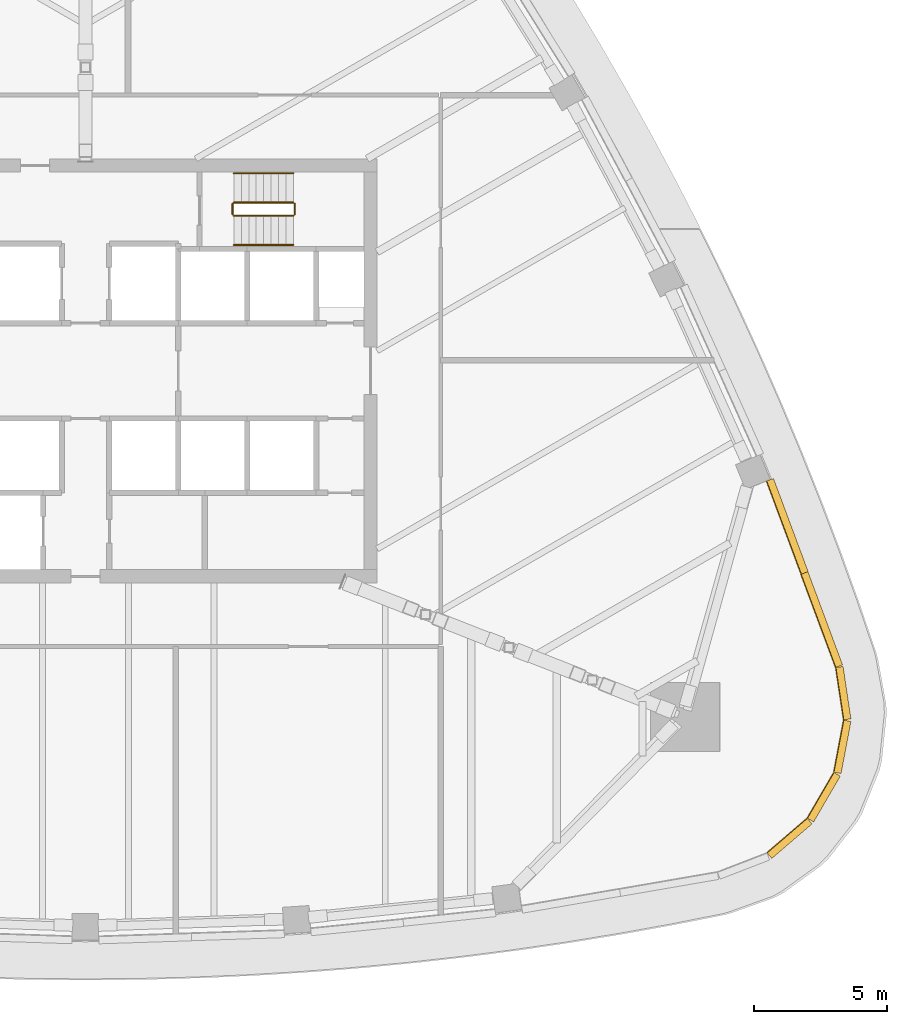
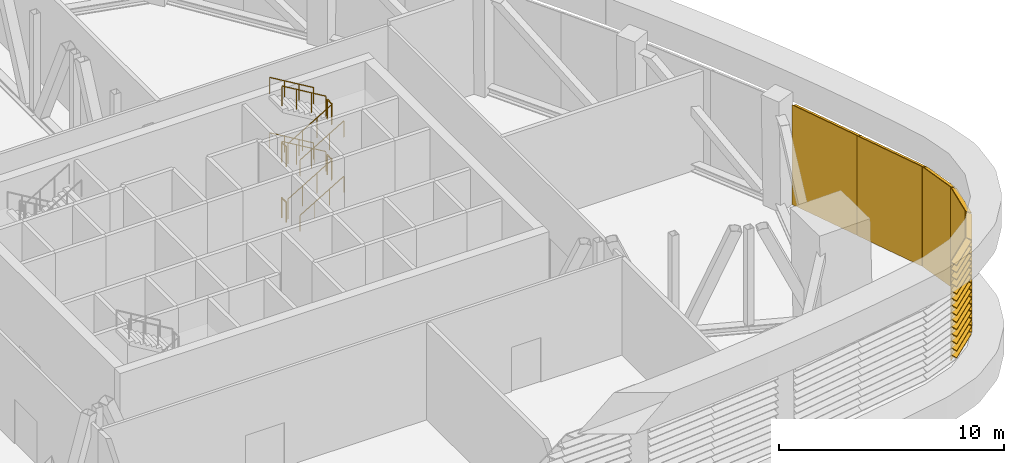
# One storey, part 15 of 18: 12 railings, 6 shading devices.
"""IFC4 building model written with IfcOpenShell, lengths in metres."""

from ifc_helpers import new_model, si_unit, direction, frame, origin, origin_2d, place, context, subcontext, project, spatial, polyline, circle, outline, extrude, material, type_object, element, save


model = new_model("IFC4")

# Units and contexts
model_context = context("Model", 3, precision=1e-05, world=origin(), true_north=direction((0.0, 1.0)))
body_context = subcontext(model_context, "Body", "Model", "MODEL_VIEW")
ifc_project = project(units=[si_unit("LENGTHUNIT", "METRE"), si_unit("AREAUNIT", "SQUARE_METRE"), si_unit("VOLUMEUNIT", "CUBIC_METRE"), si_unit("PLANEANGLEUNIT", "RADIAN"), si_unit("MASSUNIT", "GRAM", prefix="KILO")], contexts=[model_context])

# Site, building, storey
site_placement = place(None, origin())
site = spatial("IfcSite", under=ifc_project, at=site_placement, CompositionType="ELEMENT")
building_placement = place(site_placement, origin())
building = spatial("IfcBuilding", under=site, at=building_placement, Name="Sierra Prisma Convention Tower", CompositionType="ELEMENT")
storey_placement = place(building_placement, frame((0.0, 0.0, 213.800048828125)))
storey = spatial("IfcBuildingStorey", under=building, at=storey_placement, Name="L48", CompositionType="ELEMENT", Elevation=213.800048828125)

# Railings
ifc_material_1 = material(Name="Stainless steel", Category="steel")
railing_type_1 = type_object("IfcRailingType", Name="Exit stair handrail", PredefinedType="HANDRAIL", material=ifc_material_1)
railing_1_placement = place(storey_placement, frame((5.60009765625, 4.75, 0.16650390625)))
element("IfcRailing", 1, at=railing_1_placement, inside=storey, type_object=railing_type_1, Name="L48 S4 stair handrail 1", PredefinedType="HANDRAIL", context=body_context, shape_type="SweptSolid", body=[
    extrude(circle(Radius=0.02392578125, at=origin_2d()), frame((0.0, 0.0, 0.8759765625), z_axis=(0.859264461869, 0.0, 0.511531606619), x_axis=(0.0, 1.0, 0.0)), (0.0, 0.0, 1.0), 2.60693359375),
    extrude(circle(Radius=0.02099609375, at=origin_2d()), origin(), (0.0, 0.0, 1.0), 0.851806640625),
    extrude(circle(Radius=0.02099609375, at=origin_2d()), frame((0.74658203125, 0.0, 0.444580078125)), (0.0, 0.0, 1.0), 0.851806640625),
    extrude(circle(Radius=0.02099609375, at=origin_2d()), frame((1.493408203125, 0.0, 0.888916015625)), (0.0, 0.0, 1.0), 0.851806640625),
    extrude(circle(Radius=0.02099609375, at=origin_2d()), frame((2.239990234375, 0.0, 1.33349609375)), (0.0, 0.0, 1.0), 0.851806640625),
])
railing_2_placement = place(storey_placement, frame((7.840087890625, 7.449951171875, 1.66650390625)))
element("IfcRailing", 2, at=railing_2_placement, inside=storey, type_object=railing_type_1, Name="L48 S4 stair handrail 2", PredefinedType="HANDRAIL", context=body_context, shape_type="SweptSolid", body=[
    extrude(circle(Radius=0.02392578125, at=origin_2d()), frame((0.0, 0.0, 0.8759765625), z_axis=(-0.859264461869, 0.0, 0.511531606619), x_axis=(0.0, -1.0, 0.0)), (0.0, 0.0, 1.0), 2.60693359375),
    extrude(circle(Radius=0.02099609375, at=origin_2d()), origin(), (0.0, 0.0, 1.0), 0.851806640625),
    extrude(circle(Radius=0.02099609375, at=origin_2d()), frame((-0.74658203125, 0.0, 0.444580078125)), (0.0, 0.0, 1.0), 0.851806640625),
    extrude(circle(Radius=0.02099609375, at=origin_2d()), frame((-1.493408203125, 0.0, 0.888916015625)), (0.0, 0.0, 1.0), 0.851806640625),
    extrude(circle(Radius=0.02099609375, at=origin_2d()), frame((-2.239990234375, 0.0, 1.33349609375)), (0.0, 0.0, 1.0), 0.851806640625),
])
railing_3_placement = place(storey_placement, frame((5.60009765625, 4.75, 3.16650390625)))
element("IfcRailing", 3, at=railing_3_placement, inside=storey, type_object=railing_type_1, Name="L48 S4 stair handrail 3", PredefinedType="HANDRAIL", context=body_context, shape_type="SweptSolid", body=[
    extrude(circle(Radius=0.02392578125, at=origin_2d()), frame((0.0, 0.0, 0.8759765625), z_axis=(0.859264461869, 0.0, 0.511531606619), x_axis=(0.0, 1.0, 0.0)), (0.0, 0.0, 1.0), 2.60693359375),
    extrude(circle(Radius=0.02099609375, at=origin_2d()), origin(), (0.0, 0.0, 1.0), 0.851806640625),
    extrude(circle(Radius=0.02099609375, at=origin_2d()), frame((0.74658203125, 0.0, 0.444580078125)), (0.0, 0.0, 1.0), 0.851806640625),
    extrude(circle(Radius=0.02099609375, at=origin_2d()), frame((1.493408203125, 0.0, 0.888916015625)), (0.0, 0.0, 1.0), 0.851806640625),
    extrude(circle(Radius=0.02099609375, at=origin_2d()), frame((2.239990234375, 0.0, 1.33349609375)), (0.0, 0.0, 1.0), 0.851806640625),
])
railing_4_placement = place(storey_placement, frame((7.840087890625, 7.449951171875, 4.66650390625)))
element("IfcRailing", 4, at=railing_4_placement, inside=storey, type_object=railing_type_1, Name="L48 S4 stair handrail 4", PredefinedType="HANDRAIL", context=body_context, shape_type="SweptSolid", body=[
    extrude(circle(Radius=0.02392578125, at=origin_2d()), frame((0.0, 0.0, 0.8759765625), z_axis=(-0.859264461869, 0.0, 0.511531606619), x_axis=(0.0, -1.0, 0.0)), (0.0, 0.0, 1.0), 2.60693359375),
    extrude(circle(Radius=0.02099609375, at=origin_2d()), origin(), (0.0, 0.0, 1.0), 0.851806640625),
    extrude(circle(Radius=0.02099609375, at=origin_2d()), frame((-0.74658203125, 0.0, 0.444580078125)), (0.0, 0.0, 1.0), 0.851806640625),
    extrude(circle(Radius=0.02099609375, at=origin_2d()), frame((-1.493408203125, 0.0, 0.888916015625)), (0.0, 0.0, 1.0), 0.851806640625),
    extrude(circle(Radius=0.02099609375, at=origin_2d()), frame((-2.239990234375, 0.0, 1.33349609375)), (0.0, 0.0, 1.0), 0.851806640625),
])

# Shading devices
ifc_material_2 = material(Name="Aluminium 6063-T6 bronze anodised", Category="aluminium")
shading_device_type = type_object("IfcShadingDeviceType", Name="Louvre bay bronze", PredefinedType="USERDEFINED", material=ifc_material_2)
shading_device_1_placement = place(storey_placement, frame((25.693115234375, -18.16357421875, 0.0), z_axis=(-0.758237313082, -0.651978663033, 0.0), x_axis=(0.0, 0.0, 1.0)))
element("IfcShadingDevice", 5, at=shading_device_1_placement, inside=storey, type_object=shading_device_type, Name="Louvre L48 SE2.1", ObjectType="LOUVRE", PredefinedType="USERDEFINED", context=body_context, shape_type="SweptSolid", body=[
    extrude(outline(polyline([(0.0, 0.0), (5.39990234375, 0.0), (5.39990234375, -0.029949795693178537), (5.3798828125, -0.029949795693178537), (5.260009765625, -0.30002736447309325), (5.22998046875, -0.30002736447309325), (5.349853515625, -0.029949795693178537), (5.01416015625, -0.029949795693178537), (4.994140625, -0.029949795693178537), (4.874267578125, -0.30002736447309325), (4.84423828125, -0.30002736447309325), (4.96435546875, -0.029949795693178537), (4.62841796875, -0.029949795693178537), (4.608642578125, -0.029949795693178537), (4.488525390625, -0.30002736447309325), (4.45849609375, -0.30002736447309325), (4.57861328125, -0.029949795693178537), (4.242919921875, -0.029949795693178537), (4.222900390625, -0.029949795693178537), (4.102783203125, -0.30002736447309325), (4.07275390625, -0.30002736447309325), (4.19287109375, -0.029949795693178537), (3.857177734375, -0.029949795693178537), (3.837158203125, -0.029949795693178537), (3.717041015625, -0.30002736447309325), (3.68701171875, -0.30002736447309325), (3.80712890625, -0.029949795693178537), (3.471435546875, -0.029949795693178537), (3.451416015625, -0.029949795693178537), (3.331298828125, -0.30002736447309325), (3.30126953125, -0.30002736447309325), (3.42138671875, -0.029949795693178537), (3.085693359375, -0.029949795693178537), (3.065673828125, -0.029949795693178537), (2.945556640625, -0.30002736447309325), (2.915771484375, -0.30002736447309325), (3.03564453125, -0.029949795693178537), (2.699951171875, -0.029949795693178537), (2.679931640625, -0.029949795693178537), (2.56005859375, -0.30002736447309325), (2.530029296875, -0.30002736447309325), (2.64990234375, -0.029949795693178537), (2.314208984375, -0.029949795693178537), (2.294189453125, -0.029949795693178537), (2.17431640625, -0.30002736447309325), (2.144287109375, -0.30002736447309325), (2.26416015625, -0.029949795693178537), (1.928466796875, -0.029949795693178537), (1.908447265625, -0.029949795693178537), (1.78857421875, -0.30002736447309325), (1.758544921875, -0.30002736447309325), (1.87841796875, -0.029949795693178537), (1.542724609375, -0.029949795693178537), (1.522705078125, -0.029949795693178537), (1.40283203125, -0.30002736447309325), (1.372802734375, -0.30002736447309325), (1.492919921875, -0.029949795693178537), (1.156982421875, -0.029949795693178537), (1.13720703125, -0.029949795693178537), (1.01708984375, -0.30002736447309325), (0.987060546875, -0.30002736447309325), (1.107177734375, -0.029949795693178537), (0.771484375, -0.029949795693178537), (0.75146484375, -0.029949795693178537), (0.63134765625, -0.30002736447309325), (0.601318359375, -0.30002736447309325), (0.721435546875, -0.029949795693178537), (0.3857421875, -0.029949795693178537), (0.36572265625, -0.029949795693178537), (0.24560546875, -0.30002736447309325), (0.215576171875, -0.30002736447309325), (0.335693359375, -0.029949795693178537), (0.0, -0.029949795693178537), (0.0, 0.0)])), origin(), (0.0, 0.0, -1.0), 1.997314453125),
])
shading_device_2_placement = place(storey_placement, frame((27.2080078125, -16.861572265625, 0.0), z_axis=(-0.502845007953, -0.864376594996, 0.0), x_axis=(0.0, 0.0, 1.0)))
element("IfcShadingDevice", 6, at=shading_device_2_placement, inside=storey, type_object=shading_device_type, Name="Louvre L48 SE3.1", ObjectType="LOUVRE", PredefinedType="USERDEFINED", context=body_context, shape_type="SweptSolid", body=[
    extrude(outline(polyline([(0.0, 0.0), (5.39990234375, 0.0), (5.39990234375, -0.02998054432681979), (5.3798828125, -0.02998054432681979), (5.260009765625, -0.30003573656415006), (5.22998046875, -0.30003573656415006), (5.349853515625, -0.02998054432681979), (5.01416015625, -0.02998054432681979), (4.994140625, -0.02998054432681979), (4.874267578125, -0.30003573656415006), (4.84423828125, -0.30003573656415006), (4.96435546875, -0.02998054432681979), (4.62841796875, -0.02998054432681979), (4.608642578125, -0.02998054432681979), (4.488525390625, -0.30003573656415006), (4.45849609375, -0.30003573656415006), (4.57861328125, -0.02998054432681979), (4.242919921875, -0.02998054432681979), (4.222900390625, -0.02998054432681979), (4.102783203125, -0.30003573656415006), (4.07275390625, -0.30003573656415006), (4.19287109375, -0.02998054432681979), (3.857177734375, -0.02998054432681979), (3.837158203125, -0.02998054432681979), (3.717041015625, -0.30003573656415006), (3.68701171875, -0.30003573656415006), (3.80712890625, -0.02998054432681979), (3.471435546875, -0.02998054432681979), (3.451416015625, -0.02998054432681979), (3.331298828125, -0.30003573656415006), (3.30126953125, -0.30003573656415006), (3.42138671875, -0.02998054432681979), (3.085693359375, -0.02998054432681979), (3.065673828125, -0.02998054432681979), (2.945556640625, -0.30003573656415006), (2.915771484375, -0.30003573656415006), (3.03564453125, -0.02998054432681979), (2.699951171875, -0.02998054432681979), (2.679931640625, -0.02998054432681979), (2.56005859375, -0.30003573656415006), (2.530029296875, -0.30003573656415006), (2.64990234375, -0.02998054432681979), (2.314208984375, -0.02998054432681979), (2.294189453125, -0.02998054432681979), (2.17431640625, -0.30003573656415006), (2.144287109375, -0.30003573656415006), (2.26416015625, -0.02998054432681979), (1.928466796875, -0.02998054432681979), (1.908447265625, -0.02998054432681979), (1.78857421875, -0.30003573656415006), (1.758544921875, -0.30003573656415006), (1.87841796875, -0.02998054432681979), (1.542724609375, -0.02998054432681979), (1.522705078125, -0.02998054432681979), (1.40283203125, -0.30003573656415006), (1.372802734375, -0.30003573656415006), (1.492919921875, -0.02998054432681979), (1.156982421875, -0.02998054432681979), (1.13720703125, -0.02998054432681979), (1.01708984375, -0.30003573656415006), (0.987060546875, -0.30003573656415006), (1.107177734375, -0.02998054432681979), (0.771484375, -0.02998054432681979), (0.75146484375, -0.02998054432681979), (0.63134765625, -0.30003573656415006), (0.601318359375, -0.30003573656415006), (0.721435546875, -0.02998054432681979), (0.3857421875, -0.02998054432681979), (0.36572265625, -0.02998054432681979), (0.24560546875, -0.30003573656415006), (0.215576171875, -0.30003573656415006), (0.335693359375, -0.02998054432681979), (0.0, -0.02998054432681979), (0.0, 0.0)])), origin(), (0.0, 0.0, -1.0), 1.997314453125),
])
shading_device_3_placement = place(storey_placement, frame((28.20654296875, -15.1318359375, 0.0), z_axis=(-0.186157703936, -0.982519877288, 0.0), x_axis=(0.0, 0.0, 1.0)))
element("IfcShadingDevice", 7, at=shading_device_3_placement, inside=storey, type_object=shading_device_type, Name="Louvre L48 SE4.1", ObjectType="LOUVRE", PredefinedType="USERDEFINED", context=body_context, shape_type="SweptSolid", body=[
    extrude(outline(polyline([(0.0, 0.0), (5.39990234375, 0.0), (5.39990234375, -0.030069954185139115), (5.3798828125, -0.030069954185139115), (5.260009765625, -0.3001288985011843), (5.22998046875, -0.3001288985011843), (5.349853515625, -0.030069954185139115), (5.01416015625, -0.030069954185139115), (4.994140625, -0.030069954185139115), (4.874267578125, -0.3001288985011843), (4.84423828125, -0.3001288985011843), (4.96435546875, -0.030069954185139115), (4.62841796875, -0.030069954185139115), (4.608642578125, -0.030069954185139115), (4.488525390625, -0.3001288985011843), (4.45849609375, -0.3001288985011843), (4.57861328125, -0.030069954185139115), (4.242919921875, -0.030069954185139115), (4.222900390625, -0.030069954185139115), (4.102783203125, -0.3001288985011843), (4.07275390625, -0.3001288985011843), (4.19287109375, -0.030069954185139115), (3.857177734375, -0.030069954185139115), (3.837158203125, -0.030069954185139115), (3.717041015625, -0.3001288985011843), (3.68701171875, -0.3001288985011843), (3.80712890625, -0.030069954185139115), (3.471435546875, -0.030069954185139115), (3.451416015625, -0.030069954185139115), (3.331298828125, -0.3001288985011843), (3.30126953125, -0.3001288985011843), (3.42138671875, -0.030069954185139115), (3.085693359375, -0.030069954185139115), (3.065673828125, -0.030069954185139115), (2.945556640625, -0.3001288985011843), (2.915771484375, -0.3001288985011843), (3.03564453125, -0.030069954185139115), (2.699951171875, -0.030069954185139115), (2.679931640625, -0.030069954185139115), (2.56005859375, -0.3001288985011843), (2.530029296875, -0.3001288985011843), (2.64990234375, -0.030069954185139115), (2.314208984375, -0.030069954185139115), (2.294189453125, -0.030069954185139115), (2.17431640625, -0.3001288985011843), (2.144287109375, -0.3001288985011843), (2.26416015625, -0.030069954185139115), (1.928466796875, -0.030069954185139115), (1.908447265625, -0.030069954185139115), (1.78857421875, -0.3001288985011843), (1.758544921875, -0.3001288985011843), (1.87841796875, -0.030069954185139115), (1.542724609375, -0.030069954185139115), (1.522705078125, -0.030069954185139115), (1.40283203125, -0.3001288985011843), (1.372802734375, -0.3001288985011843), (1.492919921875, -0.030069954185139115), (1.156982421875, -0.030069954185139115), (1.13720703125, -0.030069954185139115), (1.01708984375, -0.3001288985011843), (0.987060546875, -0.3001288985011843), (1.107177734375, -0.030069954185139115), (0.771484375, -0.030069954185139115), (0.75146484375, -0.030069954185139115), (0.63134765625, -0.3001288985011843), (0.601318359375, -0.3001288985011843), (0.721435546875, -0.030069954185139115), (0.3857421875, -0.030069954185139115), (0.36572265625, -0.030069954185139115), (0.24560546875, -0.3001288985011843), (0.215576171875, -0.3001288985011843), (0.335693359375, -0.030069954185139115), (0.0, -0.030069954185139115), (0.0, 0.0)])), origin(), (0.0, 0.0, -1.0), 1.997314453125),
])
shading_device_4_placement = place(storey_placement, frame((28.57666015625, -13.169189453125, 0.0), z_axis=(0.148695118351, -0.988883088023, 0.0), x_axis=(0.0, 0.0, 1.0)))
element("IfcShadingDevice", 8, at=shading_device_4_placement, inside=storey, type_object=shading_device_type, Name="Louvre L48 SE5.1", ObjectType="LOUVRE", PredefinedType="USERDEFINED", context=body_context, shape_type="SweptSolid", body=[
    extrude(outline(polyline([(0.0, 0.0), (5.39990234375, 0.0), (5.39990234375, -0.029866056098911742), (5.3798828125, -0.029866056098911742), (5.260009765625, -0.3000492062605703), (5.22998046875, -0.3000492062605703), (5.349853515625, -0.029866056098911742), (5.01416015625, -0.029866056098911742), (4.994140625, -0.029866056098911742), (4.874267578125, -0.3000492062605703), (4.84423828125, -0.3000492062605703), (4.96435546875, -0.029866056098911742), (4.62841796875, -0.029866056098911742), (4.608642578125, -0.029866056098911742), (4.488525390625, -0.3000492062605703), (4.45849609375, -0.3000492062605703), (4.57861328125, -0.029866056098911742), (4.242919921875, -0.029866056098911742), (4.222900390625, -0.029866056098911742), (4.102783203125, -0.3000492062605703), (4.07275390625, -0.3000492062605703), (4.19287109375, -0.029866056098911742), (3.857177734375, -0.029866056098911742), (3.837158203125, -0.029866056098911742), (3.717041015625, -0.3000492062605703), (3.68701171875, -0.3000492062605703), (3.80712890625, -0.029866056098911742), (3.471435546875, -0.029866056098911742), (3.451416015625, -0.029866056098911742), (3.331298828125, -0.3000492062605703), (3.30126953125, -0.3000492062605703), (3.42138671875, -0.029866056098911742), (3.085693359375, -0.029866056098911742), (3.065673828125, -0.029866056098911742), (2.945556640625, -0.3000492062605703), (2.915771484375, -0.3000492062605703), (3.03564453125, -0.029866056098911742), (2.699951171875, -0.029866056098911742), (2.679931640625, -0.029866056098911742), (2.56005859375, -0.3000492062605703), (2.530029296875, -0.3000492062605703), (2.64990234375, -0.029866056098911742), (2.314208984375, -0.029866056098911742), (2.294189453125, -0.029866056098911742), (2.17431640625, -0.3000492062605703), (2.144287109375, -0.3000492062605703), (2.26416015625, -0.029866056098911742), (1.928466796875, -0.029866056098911742), (1.908447265625, -0.029866056098911742), (1.78857421875, -0.3000492062605703), (1.758544921875, -0.3000492062605703), (1.87841796875, -0.029866056098911742), (1.542724609375, -0.029866056098911742), (1.522705078125, -0.029866056098911742), (1.40283203125, -0.3000492062605703), (1.372802734375, -0.3000492062605703), (1.492919921875, -0.029866056098911742), (1.156982421875, -0.029866056098911742), (1.13720703125, -0.029866056098911742), (1.01708984375, -0.3000492062605703), (0.987060546875, -0.3000492062605703), (1.107177734375, -0.029866056098911742), (0.771484375, -0.029866056098911742), (0.75146484375, -0.029866056098911742), (0.63134765625, -0.3000492062605703), (0.601318359375, -0.3000492062605703), (0.721435546875, -0.029866056098911742), (0.3857421875, -0.029866056098911742), (0.36572265625, -0.029866056098911742), (0.24560546875, -0.3000492062605703), (0.215576171875, -0.3000492062605703), (0.335693359375, -0.029866056098911742), (0.0, -0.029866056098911742), (0.0, 0.0)])), origin(), (0.0, 0.0, -1.0), 1.997314453125),
])
shading_device_5_placement = place(storey_placement, frame((28.2763671875, -11.194580078125, 0.0), z_axis=(0.348350781793, -0.937364247678, 0.0), x_axis=(0.0, 0.0, 1.0)))
element("IfcShadingDevice", 9, at=shading_device_5_placement, inside=storey, type_object=shading_device_type, Name="Louvre L48 NE1.1", ObjectType="LOUVRE", PredefinedType="USERDEFINED", context=body_context, shape_type="SweptSolid", body=[
    extrude(outline(polyline([(0.0, 0.0), (5.39990234375, 0.0), (5.39990234375, -0.029974602563482347), (5.3798828125, -0.029974602563482347), (5.260009765625, -0.29977849013345437), (5.22998046875, -0.29977849013345437), (5.349853515625, -0.029974602563482347), (5.01416015625, -0.029974602563482347), (4.994140625, -0.029974602563482347), (4.874267578125, -0.29977849013345437), (4.84423828125, -0.29977849013345437), (4.96435546875, -0.029974602563482347), (4.62841796875, -0.029974602563482347), (4.608642578125, -0.029974602563482347), (4.488525390625, -0.29977849013345437), (4.45849609375, -0.29977849013345437), (4.57861328125, -0.029974602563482347), (4.242919921875, -0.029974602563482347), (4.222900390625, -0.029974602563482347), (4.102783203125, -0.29977849013345437), (4.07275390625, -0.29977849013345437), (4.19287109375, -0.029974602563482347), (3.857177734375, -0.029974602563482347), (3.837158203125, -0.029974602563482347), (3.717041015625, -0.29977849013345437), (3.68701171875, -0.29977849013345437), (3.80712890625, -0.029974602563482347), (3.471435546875, -0.029974602563482347), (3.451416015625, -0.029974602563482347), (3.331298828125, -0.29977849013345437), (3.30126953125, -0.29977849013345437), (3.42138671875, -0.029974602563482347), (3.085693359375, -0.029974602563482347), (3.065673828125, -0.029974602563482347), (2.945556640625, -0.29977849013345437), (2.915771484375, -0.29977849013345437), (3.03564453125, -0.029974602563482347), (2.699951171875, -0.029974602563482347), (2.679931640625, -0.029974602563482347), (2.56005859375, -0.29977849013345437), (2.530029296875, -0.29977849013345437), (2.64990234375, -0.029974602563482347), (2.314208984375, -0.029974602563482347), (2.294189453125, -0.029974602563482347), (2.17431640625, -0.29977849013345437), (2.144287109375, -0.29977849013345437), (2.26416015625, -0.029974602563482347), (1.928466796875, -0.029974602563482347), (1.908447265625, -0.029974602563482347), (1.78857421875, -0.29977849013345437), (1.758544921875, -0.29977849013345437), (1.87841796875, -0.029974602563482347), (1.542724609375, -0.029974602563482347), (1.522705078125, -0.029974602563482347), (1.40283203125, -0.29977849013345437), (1.372802734375, -0.29977849013345437), (1.492919921875, -0.029974602563482347), (1.156982421875, -0.029974602563482347), (1.13720703125, -0.029974602563482347), (1.01708984375, -0.29977849013345437), (0.987060546875, -0.29977849013345437), (1.107177734375, -0.029974602563482347), (0.771484375, -0.029974602563482347), (0.75146484375, -0.029974602563482347), (0.63134765625, -0.29977849013345437), (0.601318359375, -0.29977849013345437), (0.721435546875, -0.029974602563482347), (0.3857421875, -0.029974602563482347), (0.36572265625, -0.029974602563482347), (0.24560546875, -0.29977849013345437), (0.215576171875, -0.29977849013345437), (0.335693359375, -0.029974602563482347), (0.0, -0.029974602563482347), (0.0, 0.0)])), origin(), (0.0, 0.0, -1.0), 3.7490234375),
])
shading_device_6_placement = place(storey_placement, frame((26.97802734375, -7.677490234375, 0.0), z_axis=(0.348556423365, -0.937287799841, 0.0), x_axis=(0.0, 0.0, 1.0)))
element("IfcShadingDevice", 10, at=shading_device_6_placement, inside=storey, type_object=shading_device_type, Name="Louvre L48 NE1.2", ObjectType="LOUVRE", PredefinedType="USERDEFINED", context=body_context, shape_type="SweptSolid", body=[
    extrude(outline(polyline([(0.0, 0.0), (5.39990234375, 0.0), (5.39990234375, -0.029974615035747887), (5.3798828125, -0.029974615035747887), (5.260009765625, -0.3000922533130603), (5.22998046875, -0.3000922533130603), (5.349853515625, -0.029974615035747887), (5.01416015625, -0.029974615035747887), (4.994140625, -0.029974615035747887), (4.874267578125, -0.3000922533130603), (4.84423828125, -0.3000922533130603), (4.96435546875, -0.029974615035747887), (4.62841796875, -0.029974615035747887), (4.608642578125, -0.029974615035747887), (4.488525390625, -0.3000922533130603), (4.45849609375, -0.3000922533130603), (4.57861328125, -0.029974615035747887), (4.242919921875, -0.029974615035747887), (4.222900390625, -0.029974615035747887), (4.102783203125, -0.3000922533130603), (4.07275390625, -0.3000922533130603), (4.19287109375, -0.029974615035747887), (3.857177734375, -0.029974615035747887), (3.837158203125, -0.029974615035747887), (3.717041015625, -0.3000922533130603), (3.68701171875, -0.3000922533130603), (3.80712890625, -0.029974615035747887), (3.471435546875, -0.029974615035747887), (3.451416015625, -0.029974615035747887), (3.331298828125, -0.3000922533130603), (3.30126953125, -0.3000922533130603), (3.42138671875, -0.029974615035747887), (3.085693359375, -0.029974615035747887), (3.065673828125, -0.029974615035747887), (2.945556640625, -0.3000922533130603), (2.915771484375, -0.3000922533130603), (3.03564453125, -0.029974615035747887), (2.699951171875, -0.029974615035747887), (2.679931640625, -0.029974615035747887), (2.56005859375, -0.3000922533130603), (2.530029296875, -0.3000922533130603), (2.64990234375, -0.029974615035747887), (2.314208984375, -0.029974615035747887), (2.294189453125, -0.029974615035747887), (2.17431640625, -0.3000922533130603), (2.144287109375, -0.3000922533130603), (2.26416015625, -0.029974615035747887), (1.928466796875, -0.029974615035747887), (1.908447265625, -0.029974615035747887), (1.78857421875, -0.3000922533130603), (1.758544921875, -0.3000922533130603), (1.87841796875, -0.029974615035747887), (1.542724609375, -0.029974615035747887), (1.522705078125, -0.029974615035747887), (1.40283203125, -0.3000922533130603), (1.372802734375, -0.3000922533130603), (1.492919921875, -0.029974615035747887), (1.156982421875, -0.029974615035747887), (1.13720703125, -0.029974615035747887), (1.01708984375, -0.3000922533130603), (0.987060546875, -0.3000922533130603), (1.107177734375, -0.029974615035747887), (0.771484375, -0.029974615035747887), (0.75146484375, -0.029974615035747887), (0.63134765625, -0.3000922533130603), (0.601318359375, -0.3000922533130603), (0.721435546875, -0.029974615035747887), (0.3857421875, -0.029974615035747887), (0.36572265625, -0.029974615035747887), (0.24560546875, -0.3000922533130603), (0.215576171875, -0.3000922533130603), (0.335693359375, -0.029974615035747887), (0.0, -0.029974615035747887), (0.0, 0.0)])), origin(), (0.0, 0.0, -1.0), 3.7490234375),
])

# Railings
ifc_material_3 = material(Name="Stainless steel", Category="steel")
railing_type_2 = type_object("IfcRailingType", Name="Stair guard 1100", PredefinedType="GUARDRAIL", material=ifc_material_3)
railing_5_placement = place(storey_placement, frame((5.60009765625, 5.85009765625, 0.16650390625)))
element("IfcRailing", 11, at=railing_5_placement, inside=storey, type_object=railing_type_2, Name="L48 S4 stair guard 1", PredefinedType="GUARDRAIL", context=body_context, shape_type="SweptSolid", body=[
    extrude(circle(Radius=0.02392578125, at=origin_2d()), frame((0.0, 0.0, 1.076171875), z_axis=(0.859264461869, 0.0, 0.511531606619), x_axis=(0.0, 1.0, 0.0)), (0.0, 0.0, 1.0), 2.60693359375),
    extrude(circle(Radius=0.02099609375, at=origin_2d()), origin(), (0.0, 0.0, 1.0), 1.052001953125),
    extrude(circle(Radius=0.02099609375, at=origin_2d()), frame((0.74658203125, 0.0, 0.444580078125)), (0.0, 0.0, 1.0), 1.052001953125),
    extrude(circle(Radius=0.02099609375, at=origin_2d()), frame((1.493408203125, 0.0, 0.888916015625)), (0.0, 0.0, 1.0), 1.052001953125),
    extrude(circle(Radius=0.02099609375, at=origin_2d()), frame((2.239990234375, 0.0, 1.33349609375)), (0.0, 0.0, 1.0), 1.052001953125),
])
railing_6_placement = place(storey_placement, frame((7.889892578125, 5.89990234375, 1.5)))
element("IfcRailing", 12, at=railing_6_placement, inside=storey, type_object=railing_type_2, Name="L48 S4 stair guard 2", PredefinedType="GUARDRAIL", context=body_context, shape_type="SweptSolid", body=[
    extrude(circle(Radius=0.02392578125, at=origin_2d()), frame((0.0, 0.0, 1.076171875), z_axis=(0.0, 1.0, 0.0), x_axis=(-1.0, 0.0, 0.0)), (0.0, 0.0, 1.0), 0.400146484375),
    extrude(circle(Radius=0.02099609375, at=origin_2d()), origin(), (0.0, 0.0, 1.0), 1.052001953125),
    extrude(circle(Radius=0.02099609375, at=origin_2d()), frame((0.0, 0.400146484375, 0.0)), (0.0, 0.0, 1.0), 1.052001953125),
])
railing_7_placement = place(storey_placement, frame((7.840087890625, 6.35009765625, 1.66650390625)))
element("IfcRailing", 13, at=railing_7_placement, inside=storey, type_object=railing_type_2, Name="L48 S4 stair guard 3", PredefinedType="GUARDRAIL", context=body_context, shape_type="SweptSolid", body=[
    extrude(circle(Radius=0.02392578125, at=origin_2d()), frame((0.0, 0.0, 1.076171875), z_axis=(-0.859264461869, 0.0, 0.511531606619), x_axis=(0.0, -1.0, 0.0)), (0.0, 0.0, 1.0), 2.60693359375),
    extrude(circle(Radius=0.02099609375, at=origin_2d()), origin(), (0.0, 0.0, 1.0), 1.052001953125),
    extrude(circle(Radius=0.02099609375, at=origin_2d()), frame((-0.74658203125, 0.0, 0.444580078125)), (0.0, 0.0, 1.0), 1.052001953125),
    extrude(circle(Radius=0.02099609375, at=origin_2d()), frame((-1.493408203125, 0.0, 0.888916015625)), (0.0, 0.0, 1.0), 1.052001953125),
    extrude(circle(Radius=0.02099609375, at=origin_2d()), frame((-2.239990234375, 0.0, 1.33349609375)), (0.0, 0.0, 1.0), 1.052001953125),
])
railing_8_placement = place(storey_placement, frame((5.550048828125, 5.89990234375, 3.0)))
element("IfcRailing", 14, at=railing_8_placement, inside=storey, type_object=railing_type_2, Name="L48 S4 stair guard 4", PredefinedType="GUARDRAIL", context=body_context, shape_type="SweptSolid", body=[
    extrude(circle(Radius=0.02392578125, at=origin_2d()), frame((0.0, 0.0, 1.076171875), z_axis=(0.0, 1.0, 0.0), x_axis=(-1.0, 0.0, 0.0)), (0.0, 0.0, 1.0), 0.400146484375),
    extrude(circle(Radius=0.02099609375, at=origin_2d()), origin(), (0.0, 0.0, 1.0), 1.052001953125),
    extrude(circle(Radius=0.02099609375, at=origin_2d()), frame((0.0, 0.400146484375, 0.0)), (0.0, 0.0, 1.0), 1.052001953125),
])
railing_9_placement = place(storey_placement, frame((5.60009765625, 5.85009765625, 3.16650390625)))
element("IfcRailing", 15, at=railing_9_placement, inside=storey, type_object=railing_type_2, Name="L48 S4 stair guard 5", PredefinedType="GUARDRAIL", context=body_context, shape_type="SweptSolid", body=[
    extrude(circle(Radius=0.02392578125, at=origin_2d()), frame((0.0, 0.0, 1.076171875), z_axis=(0.859264461869, 0.0, 0.511531606619), x_axis=(0.0, 1.0, 0.0)), (0.0, 0.0, 1.0), 2.60693359375),
    extrude(circle(Radius=0.02099609375, at=origin_2d()), origin(), (0.0, 0.0, 1.0), 1.052001953125),
    extrude(circle(Radius=0.02099609375, at=origin_2d()), frame((0.74658203125, 0.0, 0.444580078125)), (0.0, 0.0, 1.0), 1.052001953125),
    extrude(circle(Radius=0.02099609375, at=origin_2d()), frame((1.493408203125, 0.0, 0.888916015625)), (0.0, 0.0, 1.0), 1.052001953125),
    extrude(circle(Radius=0.02099609375, at=origin_2d()), frame((2.239990234375, 0.0, 1.33349609375)), (0.0, 0.0, 1.0), 1.052001953125),
])
railing_10_placement = place(storey_placement, frame((7.889892578125, 5.89990234375, 4.5)))
element("IfcRailing", 16, at=railing_10_placement, inside=storey, type_object=railing_type_2, Name="L48 S4 stair guard 6", PredefinedType="GUARDRAIL", context=body_context, shape_type="SweptSolid", body=[
    extrude(circle(Radius=0.02392578125, at=origin_2d()), frame((0.0, 0.0, 1.076171875), z_axis=(0.0, 1.0, 0.0), x_axis=(-1.0, 0.0, 0.0)), (0.0, 0.0, 1.0), 0.400146484375),
    extrude(circle(Radius=0.02099609375, at=origin_2d()), origin(), (0.0, 0.0, 1.0), 1.052001953125),
    extrude(circle(Radius=0.02099609375, at=origin_2d()), frame((0.0, 0.400146484375, 0.0)), (0.0, 0.0, 1.0), 1.052001953125),
])
railing_11_placement = place(storey_placement, frame((7.840087890625, 6.35009765625, 4.66650390625)))
element("IfcRailing", 17, at=railing_11_placement, inside=storey, type_object=railing_type_2, Name="L48 S4 stair guard 7", PredefinedType="GUARDRAIL", context=body_context, shape_type="SweptSolid", body=[
    extrude(circle(Radius=0.02392578125, at=origin_2d()), frame((0.0, 0.0, 1.076171875), z_axis=(-0.859264461869, 0.0, 0.511531606619), x_axis=(0.0, -1.0, 0.0)), (0.0, 0.0, 1.0), 2.60693359375),
    extrude(circle(Radius=0.02099609375, at=origin_2d()), origin(), (0.0, 0.0, 1.0), 1.052001953125),
    extrude(circle(Radius=0.02099609375, at=origin_2d()), frame((-0.74658203125, 0.0, 0.444580078125)), (0.0, 0.0, 1.0), 1.052001953125),
    extrude(circle(Radius=0.02099609375, at=origin_2d()), frame((-1.493408203125, 0.0, 0.888916015625)), (0.0, 0.0, 1.0), 1.052001953125),
    extrude(circle(Radius=0.02099609375, at=origin_2d()), frame((-2.239990234375, 0.0, 1.33349609375)), (0.0, 0.0, 1.0), 1.052001953125),
])
railing_12_placement = place(storey_placement, frame((5.550048828125, 5.89990234375, 0.0)))
element("IfcRailing", 18, at=railing_12_placement, inside=storey, type_object=railing_type_2, Name="L48 S4 stair guard 8", PredefinedType="GUARDRAIL", context=body_context, shape_type="SweptSolid", body=[
    extrude(circle(Radius=0.02392578125, at=origin_2d()), frame((0.0, 0.0, 1.076171875), z_axis=(0.0, 1.0, 0.0), x_axis=(-1.0, 0.0, 0.0)), (0.0, 0.0, 1.0), 0.400146484375),
    extrude(circle(Radius=0.02099609375, at=origin_2d()), origin(), (0.0, 0.0, 1.0), 1.052001953125),
    extrude(circle(Radius=0.02099609375, at=origin_2d()), frame((0.0, 0.400146484375, 0.0)), (0.0, 0.0, 1.0), 1.052001953125),
])

save(model, "model.ifc")
